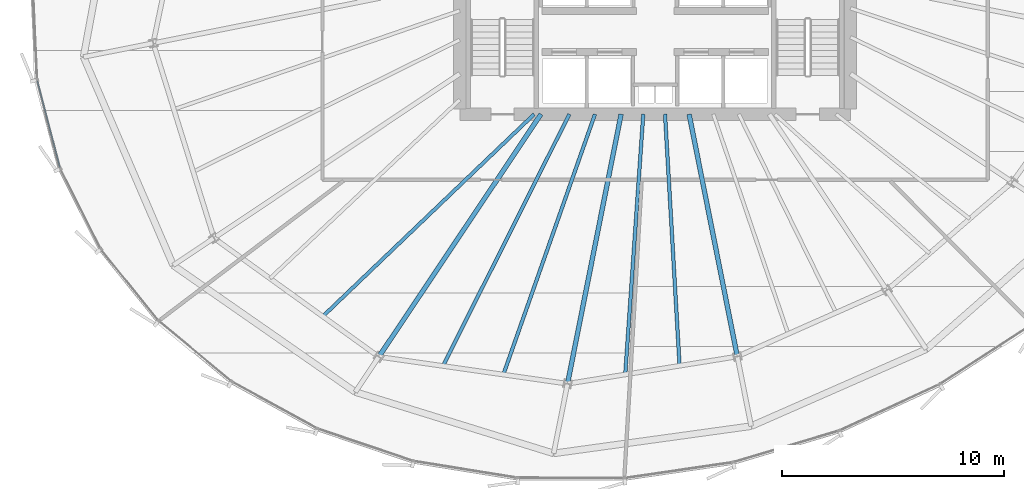
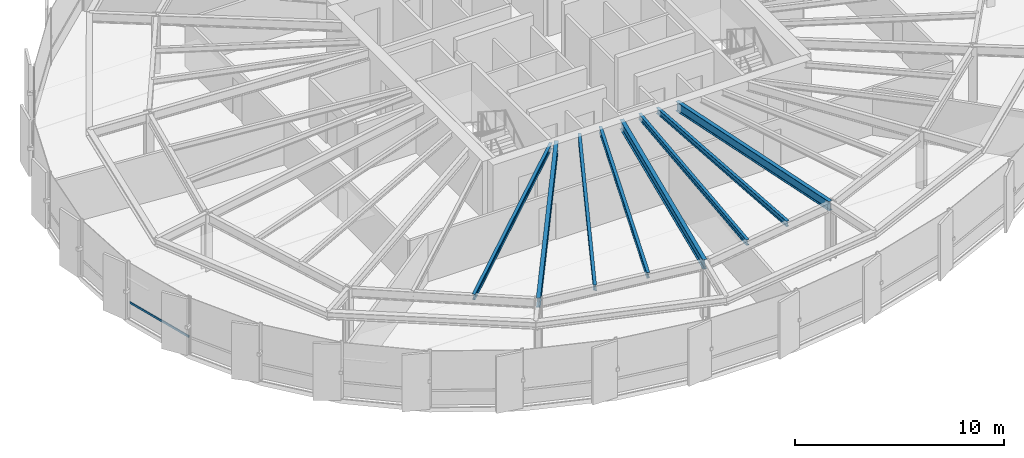
# One storey, part 7 of 33: 8 beams, 1 member, 1 element without a shape of its own.
"""IFC4 building model written with IfcOpenShell, lengths in metres."""

from ifc_helpers import new_model, si_unit, direction, frame, origin, origin_2d, place, context, subcontext, project, spatial, hollow_rectangle, i_section, extrude, source, transform, mapped, material, layer, layer_set, material_profile, profile_set, type_object, element, aggregate, save


model = new_model("IFC4")

# Units and contexts
model_context = context("Model", 3, precision=1e-05, world=origin(), true_north=direction((0.0, 1.0)))
body_context = subcontext(model_context, "Body", "Model", "MODEL_VIEW")
ifc_project = project(units=[si_unit("LENGTHUNIT", "METRE"), si_unit("AREAUNIT", "SQUARE_METRE"), si_unit("VOLUMEUNIT", "CUBIC_METRE"), si_unit("PLANEANGLEUNIT", "RADIAN"), si_unit("MASSUNIT", "GRAM", prefix="KILO"), si_unit("THERMODYNAMICTEMPERATUREUNIT", "KELVIN")], contexts=[model_context])

# Site, building, storey
site_placement = place(None, origin())
site = spatial("IfcSite", under=ifc_project, at=site_placement, CompositionType="ELEMENT")
building_placement = place(site_placement, origin())
building = spatial("IfcBuilding", under=site, at=building_placement, Name="Kethvar Cultural Tower", CompositionType="ELEMENT")
storey_placement = place(building_placement, frame((0.0, 0.0, 118.0)))
storey = spatial("IfcBuildingStorey", under=building, at=storey_placement, Name="L29", CompositionType="ELEMENT", Elevation=118.0)

# Beams
ifc_material_1 = material(Name="Steel S355J2", Category="steel")
ifc_material_profile_1 = material_profile(ifc_material_1, i_section(OverallWidth=0.2099609375, OverallDepth=0.550048828125, WebThickness=0.010986328125, FlangeThickness=0.01708984375, FilletRadius=0.02392578125, at=origin_2d()), Name="Steel S355J2 — IPE550")
ifc_profile_set_1 = profile_set([ifc_material_profile_1], Name="Steel S355J2 — IPE550")
beam_type_1 = type_object("IfcBeamType", Name="BM-IPE550", PredefinedType="BEAM", material=ifc_profile_set_1)
shared_shape_1 = source(origin(), body_context, "Body", "SweptSolid", [
    extrude(i_section(OverallWidth=0.2099609375, OverallDepth=0.550048828125, WebThickness=0.010986328125, FlangeThickness=0.01708984375, FilletRadius=0.02392578125, at=origin_2d()), origin(), (0.0, 0.0, 1.0), 13.147216796875),
])
beam_1_placement = place(storey_placement, frame((41.655029296875, 20.10009765625, 3.072998046875), z_axis=(-0.555565525446, -0.831472757783, 0.0), x_axis=(0.831472757783, -0.555565525446, 0.0)))
element("IfcBeam", 1, at=beam_1_placement, inside=storey, type_object=beam_type_1, Name="L29 Primary Radial Beam RB-11", PredefinedType="BEAM", context=body_context, shape_type="MappedRepresentation", body=[
    mapped(shared_shape_1, transform((0.0, 0.0, 0.0), scale=1.0)),
])
shared_shape_2 = source(origin(), body_context, "Body", "SweptSolid", [
    extrude(i_section(OverallWidth=0.2099609375, OverallDepth=0.550048828125, WebThickness=0.010986328125, FlangeThickness=0.01708984375, FilletRadius=0.02392578125, at=origin_2d()), origin(), (0.0, 0.0, 1.0), 12.384521484375),
])
beam_2_placement = place(storey_placement, frame((45.268310546875, 20.10009765625, 3.072998046875), z_axis=(-0.195084858678, -0.980786367113, 0.0), x_axis=(0.980786367113, -0.195084858678, 0.0)))
element("IfcBeam", 2, at=beam_2_placement, inside=storey, type_object=beam_type_1, Name="L29 Primary Radial Beam RB-12", PredefinedType="BEAM", context=body_context, shape_type="MappedRepresentation", body=[
    mapped(shared_shape_2, transform((0.0, 0.0, 0.0), scale=1.0)),
])
shared_shape_3 = source(origin(), body_context, "Body", "SweptSolid", [
    extrude(i_section(OverallWidth=0.2099609375, OverallDepth=0.550048828125, WebThickness=0.010986328125, FlangeThickness=0.01708984375, FilletRadius=0.02392578125, at=origin_2d()), origin(), (0.0, 0.0, 1.0), 11.131591796875),
])
beam_3_placement = place(storey_placement, frame((48.33154296875, 20.10009765625, 3.072998046875), z_axis=(0.195107998266, -0.980781764213, 0.0), x_axis=(0.980781764213, 0.195107998266, 0.0)))
element("IfcBeam", 3, at=beam_3_placement, inside=storey, type_object=beam_type_1, Name="L29 Primary Radial Beam RB-13", PredefinedType="BEAM", context=body_context, shape_type="MappedRepresentation", body=[
    mapped(shared_shape_3, transform((0.0, 0.0, 0.0), scale=1.0)),
])
ifc_material_profile_2 = material_profile(ifc_material_1, i_section(OverallWidth=0.159912109375, OverallDepth=0.330078125, WebThickness=0.007568359375, FlangeThickness=0.011474609375, FilletRadius=0.01806640625, at=origin_2d()), Name="Steel S355J2 — IPE330")
ifc_profile_set_2 = profile_set([ifc_material_profile_2], Name="Steel S355J2 — IPE330")
beam_type_2 = type_object("IfcBeamType", Name="BM-J330", PredefinedType="JOIST", material=ifc_profile_set_2)
shared_shape_4 = source(origin(), body_context, "Body", "SweptSolid", [
    extrude(i_section(OverallWidth=0.159912109375, OverallDepth=0.330078125, WebThickness=0.007568359375, FlangeThickness=0.011474609375, FilletRadius=0.01806640625, at=origin_2d()), origin(), (0.0, 0.0, 1.0), 13.1826171875),
])
beam_4_placement = place(storey_placement, frame((41.35009765625, 20.10009765625, 3.18310546875), z_axis=(-0.722573880181, -0.691293705801, 0.0), x_axis=(0.691293705801, -0.722573880181, 0.0)))
element("IfcBeam", 4, at=beam_4_placement, inside=storey, type_object=beam_type_2, Name="L29 Composite Floor Joist J-10B", PredefinedType="JOIST", context=body_context, shape_type="MappedRepresentation", body=[
    mapped(shared_shape_4, transform((0.0, 0.0, 0.0), scale=1.0)),
])
shared_shape_5 = source(origin(), body_context, "Body", "SweptSolid", [
    extrude(i_section(OverallWidth=0.159912109375, OverallDepth=0.330078125, WebThickness=0.007568359375, FlangeThickness=0.011474609375, FilletRadius=0.01806640625, at=origin_2d()), origin(), (0.0, 0.0, 1.0), 12.693603515625),
])
beam_5_placement = place(storey_placement, frame((42.935302734375, 20.10009765625, 3.18310546875), z_axis=(-0.448582495233, -0.893741430712, 0.0), x_axis=(0.893741430712, -0.448582495233, 0.0)))
element("IfcBeam", 5, at=beam_5_placement, inside=storey, type_object=beam_type_2, Name="L29 Composite Floor Joist J-11A", PredefinedType="JOIST", context=body_context, shape_type="MappedRepresentation", body=[
    mapped(shared_shape_5, transform((0.0, 0.0, 0.0), scale=1.0)),
])
shared_shape_6 = source(origin(), body_context, "Body", "SweptSolid", [
    extrude(i_section(OverallWidth=0.159912109375, OverallDepth=0.330078125, WebThickness=0.007568359375, FlangeThickness=0.011474609375, FilletRadius=0.01806640625, at=origin_2d()), origin(), (0.0, 0.0, 1.0), 12.4384765625),
])
beam_6_placement = place(storey_placement, frame((44.090576171875, 20.10009765625, 3.18310546875), z_axis=(-0.331923676994, -0.943306245421, 0.0), x_axis=(0.943306245421, -0.331923676994, 0.0)))
element("IfcBeam", 6, at=beam_6_placement, inside=storey, type_object=beam_type_2, Name="L29 Composite Floor Joist J-11B", PredefinedType="JOIST", context=body_context, shape_type="MappedRepresentation", body=[
    mapped(shared_shape_6, transform((0.0, 0.0, 0.0), scale=1.0)),
])
shared_shape_7 = source(origin(), body_context, "Body", "SweptSolid", [
    extrude(i_section(OverallWidth=0.159912109375, OverallDepth=0.330078125, WebThickness=0.007568359375, FlangeThickness=0.011474609375, FilletRadius=0.01806640625, at=origin_2d()), origin(), (0.0, 0.0, 1.0), 11.7568359375),
])
beam_7_placement = place(storey_placement, frame((46.266357421875, 20.10009765625, 3.18310546875), z_axis=(-0.069129203877, -0.997607715072, 0.0), x_axis=(0.997607715072, -0.069129203877, 0.0)))
element("IfcBeam", 7, at=beam_7_placement, inside=storey, type_object=beam_type_2, Name="L29 Composite Floor Joist J-12A", PredefinedType="JOIST", context=body_context, shape_type="MappedRepresentation", body=[
    mapped(shared_shape_7, transform((0.0, 0.0, 0.0), scale=1.0)),
])
shared_shape_8 = source(origin(), body_context, "Body", "SweptSolid", [
    extrude(i_section(OverallWidth=0.159912109375, OverallDepth=0.330078125, WebThickness=0.007568359375, FlangeThickness=0.011474609375, FilletRadius=0.01806640625, at=origin_2d()), origin(), (0.0, 0.0, 1.0), 11.354736328125),
])
beam_8_placement = place(storey_placement, frame((47.245849609375, 20.10009765625, 3.18310546875), z_axis=(0.057795585741, -0.998328438075, 0.0), x_axis=(0.998328438075, 0.057795585741, 0.0)))
element("IfcBeam", 8, at=beam_8_placement, inside=storey, type_object=beam_type_2, Name="L29 Composite Floor Joist J-12B", PredefinedType="JOIST", context=body_context, shape_type="MappedRepresentation", body=[
    mapped(shared_shape_8, transform((0.0, 0.0, 0.0), scale=1.0)),
])

# Curtain wall, member
ifc_material_2 = material(Name="Aluminium 6063-T6", Category="aluminium")
ifc_layer = layer(ifc_material_2, 0.179931640625, Name="Aluminium 6063-T6", Category="aluminium")
ifc_layer_set = layer_set([ifc_layer], Name="Aluminium 6063-T6 (180 mm)")
curtain_wall_type = type_object("IfcCurtainWallType", Name="CW-SYS-03-Z2", PredefinedType="NOTDEFINED", material=ifc_layer_set)
curtain_wall_placement = place(storey_placement, origin())
curtain_wall = element("IfcCurtainWall", 9, at=curtain_wall_placement, inside=storey, type_object=curtain_wall_type, Name="L29 Curtain Wall Run 03", PredefinedType="NOTDEFINED")
ifc_material_profile_3 = material_profile(ifc_material_2, hollow_rectangle(XDim=0.054931640625, YDim=0.1201171875, WallThickness=0.00390625, at=origin_2d()), Name="Aluminium 6063-T6 — RHS120x55x4")
ifc_profile_set_3 = profile_set([ifc_material_profile_3], Name="Aluminium 6063-T6 — RHS120x55x4")
member_type = type_object("IfcMemberType", Name="CW-SYS-03-Z2-TRN", PredefinedType="USERDEFINED", material=ifc_profile_set_3)
shared_shape_9 = source(origin(), body_context, "Body", "SweptSolid", [
    extrude(hollow_rectangle(XDim=0.054931640625, YDim=0.1201171875, WallThickness=0.00390625, at=origin_2d()), origin(), (0.0, 0.0, 1.0), 4.033203125),
])
member_placement = place(storey_placement, frame((18.9638671875, 21.601806640625, 0.949951171875), z_axis=(0.25223708228, -0.967665466121, 0.0), x_axis=(0.967665466121, 0.25223708228, 0.0)))
member = element("IfcMember", 10, at=member_placement, type_object=member_type, Name="CW-L29-R03 Transom 6", ObjectType="TRANSOM", PredefinedType="USERDEFINED", context=body_context, shape_type="MappedRepresentation", body=[
    mapped(shared_shape_9, transform((0.0, 0.0, 0.0), scale=1.0)),
])
aggregate(curtain_wall, [member])

save(model, "model.ifc")
